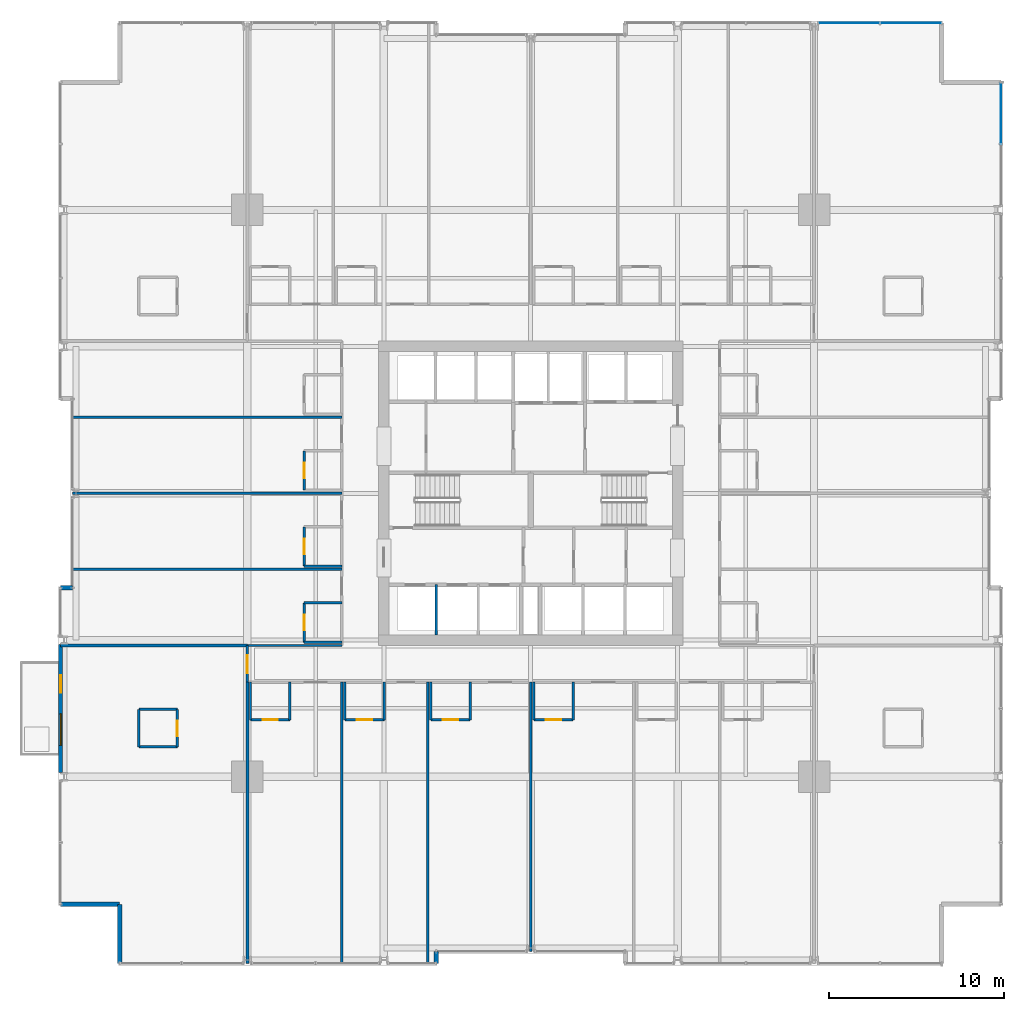
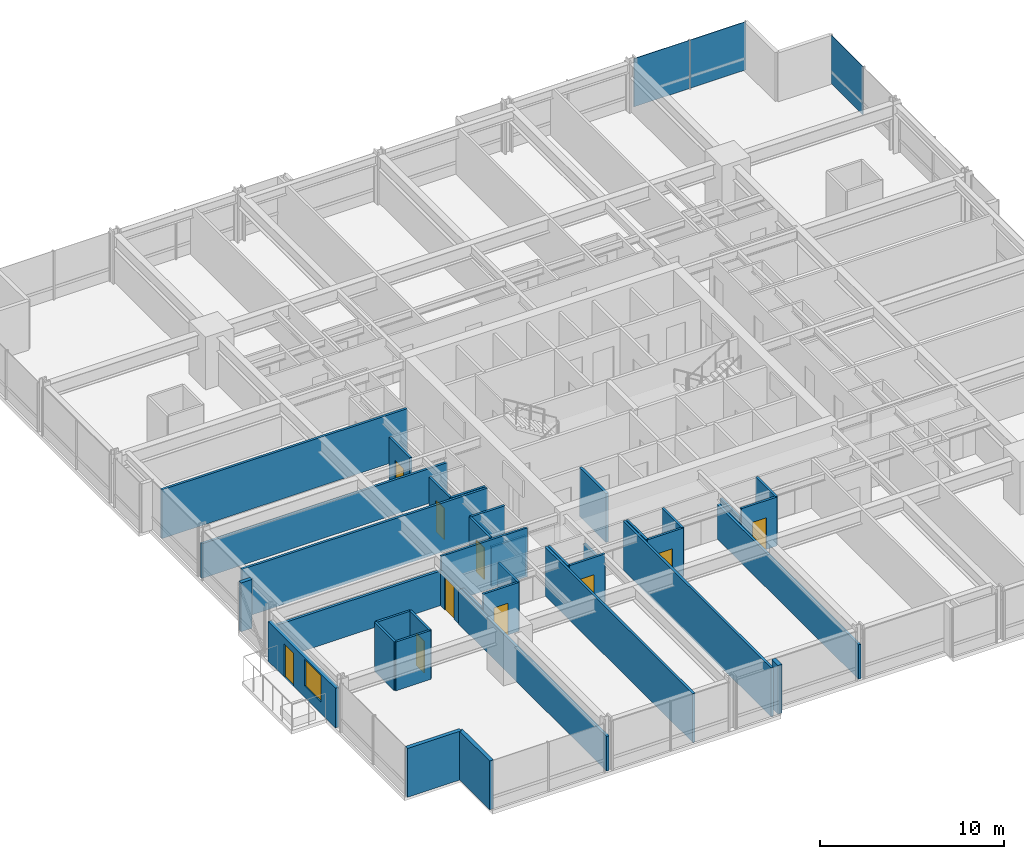
# One storey, part 30 of 39: 38 walls, 10 doors, 3 plates, 1 window, 11 openings, 2 elements without a shape of their own.
"""IFC4 building model written with IfcOpenShell, lengths in metres."""

from ifc_helpers import new_model, si_unit, direction, frame, frame_2d, origin, origin_2d, place, context, subcontext, project, spatial, rectangle, extrude, material, layer, layer_set, type_object, element, fill, aggregate, save


model = new_model("IFC4")

# Units and contexts
model_context = context("Model", 3, precision=1e-05, world=origin(), true_north=direction((0.0, 1.0)))
body_context = subcontext(model_context, "Body", "Model", "MODEL_VIEW")
ifc_project = project(units=[si_unit("LENGTHUNIT", "METRE"), si_unit("AREAUNIT", "SQUARE_METRE"), si_unit("VOLUMEUNIT", "CUBIC_METRE"), si_unit("PLANEANGLEUNIT", "RADIAN"), si_unit("MASSUNIT", "GRAM", prefix="KILO")], contexts=[model_context])

# Site, building, storey
site_placement = place(None, origin())
site = spatial("IfcSite", under=ifc_project, at=site_placement, CompositionType="ELEMENT")
building_placement = place(site_placement, origin())
building = spatial("IfcBuilding", under=site, at=building_placement, Name="Drelvath Grand Hotel", CompositionType="ELEMENT")
storey_placement = place(building_placement, frame((0.0, 0.0, 40.199951171875)))
storey = spatial("IfcBuildingStorey", under=building, at=storey_placement, Name="L08", CompositionType="ELEMENT", Elevation=40.199951171875)

# Curtain wall, plate
ifc_material_1 = material(Name="Warm Bronze Anodised Aluminium Frame", Category="aluminium")
ifc_layer_1 = layer(ifc_material_1, 0.199951171875)
ifc_layer_set_1 = layer_set([ifc_layer_1], Name="Warm Bronze Anodised Aluminium Frame")
curtain_wall_type = type_object("IfcCurtainWallType", Name="Stick Curtain Wall CW-02 Warm Bronze Low-Rise", PredefinedType="NOTDEFINED", material=ifc_layer_set_1)
curtain_wall_1_placement = place(storey_placement, origin())
curtain_wall_1 = element("IfcCurtainWall", 1, at=curtain_wall_1_placement, inside=storey, type_object=curtain_wall_type, Name="L08 CW-02 Curtain Wall CW02-L08-EN3", PredefinedType="NOTDEFINED")
ifc_material_2 = material(Name="Low-E Triple Silver Vision Glass Bronze Tint", Category="glass")
ifc_layer_2 = layer(ifc_material_2, 0.035888671875)
ifc_layer_set_2 = layer_set([ifc_layer_2], Name="Low-E Triple Silver Vision Glass Bronze Tint")
plate_type = type_object("IfcPlateType", Name="Curtain Wall Vision Panel CW-02 36mm", PredefinedType="CURTAIN_PANEL", material=ifc_layer_set_2)
plate_1_placement = place(storey_placement, frame((26.8798828125, 48.735107421875, 0.02001953125), z_axis=(0.0, 0.0, 1.0), x_axis=(0.0, -1.0, 0.0)))
plate_1 = element("IfcPlate", 2, at=plate_1_placement, type_object=plate_type, Name="CW02-L08-EN3 Glazed Panel 1", PredefinedType="CURTAIN_PANEL", context=body_context, shape_type="SweptSolid", body=[
    extrude(rectangle(XDim=3.489501953125, YDim=0.035888671875, at=origin_2d()), origin(), (0.0, 0.0, 1.0), 3.199951171875),
])
aggregate(curtain_wall_1, [plate_1])

# Curtain wall, plates
curtain_wall_2_placement = place(storey_placement, origin())
curtain_wall_2 = element("IfcCurtainWall", 3, at=curtain_wall_2_placement, inside=storey, type_object=curtain_wall_type, Name="L08 CW-02 Curtain Wall CW02-L08-NE3", PredefinedType="NOTDEFINED")
plate_2_placement = place(storey_placement, frame((18.205810546875, 53.8798828125, 0.02001953125), z_axis=(0.0, 0.0, 1.0), x_axis=(1.0, 0.0, 0.0)))
plate_2 = element("IfcPlate", 4, at=plate_2_placement, type_object=plate_type, Name="CW02-L08-NE3 Glazed Panel 1", PredefinedType="CURTAIN_PANEL", context=body_context, shape_type="SweptSolid", body=[
    extrude(rectangle(XDim=3.489501953125, YDim=0.035888671875, at=origin_2d()), origin(), (0.0, 0.0, 1.0), 3.199951171875),
])
plate_3_placement = place(storey_placement, frame((21.735107421875, 53.8798828125, 0.02001953125), z_axis=(0.0, 0.0, 1.0), x_axis=(1.0, 0.0, 0.0)))
plate_3 = element("IfcPlate", 5, at=plate_3_placement, type_object=plate_type, Name="CW02-L08-NE3 Glazed Panel 2", PredefinedType="CURTAIN_PANEL", context=body_context, shape_type="SweptSolid", body=[
    extrude(rectangle(XDim=3.489501953125, YDim=0.035888671875, at=origin_2d()), origin(), (0.0, 0.0, 1.0), 3.199951171875),
])
aggregate(curtain_wall_2, [plate_2, plate_3])

# Walls
ifc_material_3 = material(Name="Gypsum Fireboard Partition")
ifc_layer_3 = layer(ifc_material_3, 0.1650390625)
ifc_layer_set_3 = layer_set([ifc_layer_3], Name="Gypsum Fireboard Partition")
wall_type_1 = type_object("IfcWallType", Name="Core Shaft Partition 165", PredefinedType="PARTITIONING", material=ifc_layer_set_3)
wall_1_placement = place(storey_placement, frame((-5.39990234375, 18.89990234375, 0.0), z_axis=(0.0, 0.0, 1.0), x_axis=(0.0, 1.0, 0.0)))
element("IfcWall", 6, at=wall_1_placement, inside=storey, type_object=wall_type_1, Name="L08 Lift PE-1/2 Divider", PredefinedType="PARTITIONING", context=body_context, shape_type="SweptSolid", body=[
    extrude(rectangle(XDim=2.880126953125, YDim=0.1650390625, at=frame_2d((1.43994140625, 0.0))), origin(), (0.0, 0.0, 1.0), 3.239990234375),
])
ifc_layer_4 = layer(ifc_material_3, 0.135009765625)
ifc_layer_set_4 = layer_set([ifc_layer_4], Name="Gypsum Fireboard Partition")
wall_type_2 = type_object("IfcWallType", Name="Corridor Fire Barrier Wall 135", PredefinedType="PARTITIONING", material=ifc_layer_set_4)
wall_2_placement = place(storey_placement, frame((-16.199951171875, 18.300048828125, 0.0), z_axis=(0.0, 0.0, 1.0), x_axis=(1.0, 0.0, 0.0)))
element("IfcWall", 7, at=wall_2_placement, inside=storey, type_object=wall_type_2, Name="L08 SW Spur Inner Wall", PredefinedType="PARTITIONING", context=body_context, shape_type="SweptSolid", body=[
    extrude(rectangle(XDim=5.39990234375, YDim=0.135009765625, at=frame_2d((2.699951171875, 0.0))), origin(), (0.0, 0.0, 1.0), 3.239990234375),
])

# Wall, opening, door
wall_3_placement = place(storey_placement, frame((-16.199951171875, 16.199951171875, 0.0), z_axis=(0.0, 0.0, 1.0), x_axis=(0.0, 1.0, 0.0)))
wall_3 = element("IfcWall", 8, at=wall_3_placement, inside=storey, type_object=wall_type_2, Name="L08 South Corridor West End", PredefinedType="PARTITIONING", context=body_context, shape_type="SweptSolid", body=[
    extrude(rectangle(XDim=2.10009765625, YDim=0.135009765625, at=frame_2d((1.050048828125, 0.0))), origin(), (0.0, 0.0, 1.0), 2.29833984375),
])
opening_1_placement = place(wall_3_placement, frame((0.52001953125, 0.0, 0.0)))
opening_1 = element("IfcOpeningElement", 9, at=opening_1_placement, cuts=wall_3, Name="Opening D-T1G1-019", PredefinedType="OPENING", context=body_context, shape_type="SweptSolid", body=[
    extrude(rectangle(XDim=1.02001953125, YDim=2.14990234375, at=frame_2d((0.510009765625, 1.074951171875))), frame((0.0, 0.077392578125, 0.0), z_axis=(0.0, -1.0, 0.0), x_axis=(1.0, 0.0, 0.0)), (0.0, 0.0, 1.0), 0.155029296875),
])
ifc_material_4 = material(Name="Hardwood Walnut Timber", Category="wood")
door_type_1 = type_object("IfcDoorType", Name="Amenity Meeting Fire Door 1020x2150", OperationType="NOTDEFINED", PredefinedType="DOOR", material=ifc_material_4)
door_1_placement = place(opening_1_placement, origin())
door_1 = element("IfcDoor", 10, at=door_1_placement, inside=storey, type_object=door_type_1, Name="L08 Corner Suite Entry Door", OperationType="SINGLE_SWING_RIGHT", OverallHeight=2.14990234375, OverallWidth=1.02001953125, PredefinedType="DOOR", context=body_context, shape_type="SweptSolid", body=[
    extrude(rectangle(XDim=1.02001953125, YDim=2.14990234375, at=frame_2d((0.510009765625, 1.074951171875))), frame((0.0, 0.02490234375, 0.0), z_axis=(0.0, -1.0, 0.0), x_axis=(1.0, 0.0, 0.0)), (0.0, 0.0, 1.0), 0.050048828125),
])
fill(opening_1, door_1)

# Walls
ifc_material_5 = material(Name="Moisture-Resistant Gypsum Board")
ifc_layer_5 = layer(ifc_material_5, 0.139892578125)
ifc_layer_set_5 = layer_set([ifc_layer_5], Name="Moisture-Resistant Gypsum Board")
wall_type_3 = type_object("IfcWallType", Name="En-Suite Plumbing Wall 140", PredefinedType="PLUMBINGWALL", material=ifc_layer_set_5)
for number, where, z_axis, x_axis, name in (
    (11, (-22.39990234375, 12.5, 0.0), (0.0, 0.0, 1.0), (1.0, 0.0, 0.0), "L08 Corner En-Suite South"),
    (12, (-22.39990234375, 14.64990234375, 0.0), (0.0, 0.0, 1.0), (1.0, 0.0, 0.0), "L08 Corner En-Suite North"),
):
    element("IfcWall", number, at=place(storey_placement, frame(where, z_axis=z_axis, x_axis=x_axis)), inside=storey, type_object=wall_type_3, Name=name, PredefinedType="PLUMBINGWALL", context=body_context, shape_type="SweptSolid", body=[
        extrude(rectangle(XDim=2.199951171875, YDim=0.139892578125, at=frame_2d((1.10009765625, 0.0))), origin(), (0.0, 0.0, 1.0), 3.239990234375),
    ])
wall_4_placement = place(storey_placement, frame((-22.39990234375, 12.5, 0.0), z_axis=(0.0, 0.0, 1.0), x_axis=(0.0, 1.0, 0.0)))
element("IfcWall", 13, at=wall_4_placement, inside=storey, type_object=wall_type_3, Name="L08 Corner En-Suite West", PredefinedType="PLUMBINGWALL", context=body_context, shape_type="SweptSolid", body=[
    extrude(rectangle(XDim=2.14990234375, YDim=0.139892578125, at=frame_2d((1.074951171875, 0.0))), origin(), (0.0, 0.0, 1.0), 3.239990234375),
])

# Wall, opening, door
wall_5_placement = place(storey_placement, frame((-20.199951171875, 12.5, 0.0), z_axis=(0.0, 0.0, 1.0), x_axis=(0.0, 1.0, 0.0)))
wall_5 = element("IfcWall", 14, at=wall_5_placement, inside=storey, type_object=wall_type_3, Name="L08 Corner En-Suite East", PredefinedType="PLUMBINGWALL", context=body_context, shape_type="SweptSolid", body=[
    extrude(rectangle(XDim=2.14990234375, YDim=0.139892578125, at=frame_2d((1.074951171875, 0.0))), origin(), (0.0, 0.0, 1.0), 3.239990234375),
])
opening_2_placement = place(wall_5_placement, frame((0.6201171875, 0.0, 0.0)))
opening_2 = element("IfcOpeningElement", 15, at=opening_2_placement, cuts=wall_5, Name="Opening D-T1G1-018", PredefinedType="OPENING", context=body_context, shape_type="SweptSolid", body=[
    extrude(rectangle(XDim=0.8798828125, YDim=2.10009765625, at=frame_2d((0.43994140625, 1.050048828125))), frame((0.0, 0.079833984375, 0.0), z_axis=(0.0, -1.0, 0.0), x_axis=(1.0, 0.0, 0.0)), (0.0, 0.0, 1.0), 0.159912109375),
])
door_type_2 = type_object("IfcDoorType", Name="En-Suite Bathroom Door 880x2100", OperationType="NOTDEFINED", PredefinedType="DOOR", material=ifc_material_4)
door_2_placement = place(opening_2_placement, origin())
door_2 = element("IfcDoor", 16, at=door_2_placement, inside=storey, type_object=door_type_2, Name="L08 Corner En-Suite Door", OperationType="SINGLE_SWING_LEFT", OverallHeight=2.10009765625, OverallWidth=0.8798828125, PredefinedType="DOOR", context=body_context, shape_type="SweptSolid", body=[
    extrude(rectangle(XDim=0.8798828125, YDim=2.10009765625, at=frame_2d((0.43994140625, 1.050048828125))), frame((0.0, 0.02490234375, 0.0), z_axis=(0.0, -1.0, 0.0), x_axis=(1.0, 0.0, 0.0)), (0.0, 0.0, 1.0), 0.050048828125),
])
fill(opening_2, door_2)

# Walls
wall_6_placement = place(storey_placement, frame((-16.02001953125, 16.199951171875, 0.0), z_axis=(0.0, 0.0, 1.0), x_axis=(0.0, -1.0, 0.0)))
element("IfcWall", 17, at=wall_6_placement, inside=storey, type_object=wall_type_3, Name="L08 En-Suite Left Wall", PredefinedType="PLUMBINGWALL", context=body_context, shape_type="SweptSolid", body=[
    extrude(rectangle(XDim=2.14990234375, YDim=0.139892578125, at=frame_2d((1.074951171875, 0.0))), origin(), (0.0, 0.0, 1.0), 2.29833984375),
])
wall_7_placement = place(storey_placement, frame((-13.77001953125, 16.199951171875, 0.0), z_axis=(0.0, 0.0, 1.0), x_axis=(0.0, -1.0, 0.0)))
element("IfcWall", 18, at=wall_7_placement, inside=storey, type_object=wall_type_3, Name="L08 En-Suite Right Wall", PredefinedType="PLUMBINGWALL", context=body_context, shape_type="SweptSolid", body=[
    extrude(rectangle(XDim=2.14990234375, YDim=0.139892578125, at=frame_2d((1.074951171875, 0.0))), origin(), (0.0, 0.0, 1.0), 3.239990234375),
])

# Wall, opening, door
wall_8_placement = place(storey_placement, frame((-16.02001953125, 14.050048828125, 0.0), z_axis=(0.0, 0.0, 1.0), x_axis=(1.0, 0.0, 0.0)))
wall_8 = element("IfcWall", 19, at=wall_8_placement, inside=storey, type_object=wall_type_3, Name="L08 En-Suite Front Wall", PredefinedType="PLUMBINGWALL", context=body_context, shape_type="SweptSolid", body=[
    extrude(rectangle(XDim=2.25, YDim=0.139892578125, at=frame_2d((1.125, 0.0))), origin(), (0.0, 0.0, 1.0), 3.239990234375),
])
opening_3_placement = place(wall_8_placement, frame((0.68505859375, 0.0, 0.0)))
opening_3 = element("IfcOpeningElement", 20, at=opening_3_placement, cuts=wall_8, Name="Opening D-T1G1-026", PredefinedType="OPENING", context=body_context, shape_type="SweptSolid", body=[
    extrude(rectangle(XDim=0.8798828125, YDim=2.10009765625, at=frame_2d((0.43994140625, 1.050048828125))), frame((0.0, 0.079833984375, 0.0), z_axis=(0.0, -1.0, 0.0), x_axis=(1.0, 0.0, 0.0)), (0.0, 0.0, 1.0), 0.159912109375),
])
door_3_placement = place(opening_3_placement, origin())
door_3 = element("IfcDoor", 21, at=door_3_placement, inside=storey, type_object=door_type_2, Name="L08 En-Suite Bathroom Door", OperationType="SINGLE_SWING_LEFT", OverallHeight=2.10009765625, OverallWidth=0.8798828125, PredefinedType="DOOR", context=body_context, shape_type="SweptSolid", body=[
    extrude(rectangle(XDim=0.8798828125, YDim=2.10009765625, at=frame_2d((0.43994140625, 1.050048828125))), frame((0.0, 0.02490234375, 0.0), z_axis=(0.0, -1.0, 0.0), x_axis=(1.0, 0.0, 0.0)), (0.0, 0.0, 1.0), 0.050048828125),
])
fill(opening_3, door_3)

# Walls
wall_9_placement = place(storey_placement, frame((-10.6201171875, 16.199951171875, 0.0), z_axis=(0.0, 0.0, 1.0), x_axis=(0.0, -1.0, 0.0)))
element("IfcWall", 22, at=wall_9_placement, inside=storey, type_object=wall_type_3, Name="L08 En-Suite Left Wall", PredefinedType="PLUMBINGWALL", context=body_context, shape_type="SweptSolid", body=[
    extrude(rectangle(XDim=2.14990234375, YDim=0.139892578125, at=frame_2d((1.074951171875, 0.0))), origin(), (0.0, 0.0, 1.0), 3.239990234375),
])
wall_10_placement = place(storey_placement, frame((-8.3701171875, 16.199951171875, 0.0), z_axis=(0.0, 0.0, 1.0), x_axis=(0.0, -1.0, 0.0)))
element("IfcWall", 23, at=wall_10_placement, inside=storey, type_object=wall_type_3, Name="L08 En-Suite Right Wall", PredefinedType="PLUMBINGWALL", context=body_context, shape_type="SweptSolid", body=[
    extrude(rectangle(XDim=2.14990234375, YDim=0.139892578125, at=frame_2d((1.074951171875, 0.0))), origin(), (0.0, 0.0, 1.0), 2.617431640625),
])

# Wall, opening, door
wall_11_placement = place(storey_placement, frame((-10.6201171875, 14.050048828125, 0.0), z_axis=(0.0, 0.0, 1.0), x_axis=(1.0, 0.0, 0.0)))
wall_11 = element("IfcWall", 24, at=wall_11_placement, inside=storey, type_object=wall_type_3, Name="L08 En-Suite Front Wall", PredefinedType="PLUMBINGWALL", context=body_context, shape_type="SweptSolid", body=[
    extrude(rectangle(XDim=2.25, YDim=0.139892578125, at=frame_2d((1.125, 0.0))), origin(), (0.0, 0.0, 1.0), 3.239990234375),
])
opening_4_placement = place(wall_11_placement, frame((0.68505859375, 0.0, 0.0)))
opening_4 = element("IfcOpeningElement", 25, at=opening_4_placement, cuts=wall_11, Name="Opening D-T1G1-028", PredefinedType="OPENING", context=body_context, shape_type="SweptSolid", body=[
    extrude(rectangle(XDim=0.8798828125, YDim=2.10009765625, at=frame_2d((0.43994140625, 1.050048828125))), frame((0.0, 0.079833984375, 0.0), z_axis=(0.0, -1.0, 0.0), x_axis=(1.0, 0.0, 0.0)), (0.0, 0.0, 1.0), 0.159912109375),
])
door_4_placement = place(opening_4_placement, origin())
door_4 = element("IfcDoor", 26, at=door_4_placement, inside=storey, type_object=door_type_2, Name="L08 En-Suite Bathroom Door", OperationType="SINGLE_SWING_LEFT", OverallHeight=2.10009765625, OverallWidth=0.8798828125, PredefinedType="DOOR", context=body_context, shape_type="SweptSolid", body=[
    extrude(rectangle(XDim=0.8798828125, YDim=2.10009765625, at=frame_2d((0.43994140625, 1.050048828125))), frame((0.0, 0.02490234375, 0.0), z_axis=(0.0, -1.0, 0.0), x_axis=(1.0, 0.0, 0.0)), (0.0, 0.0, 1.0), 0.050048828125),
])
fill(opening_4, door_4)

# Walls
for number, where, z_axis, x_axis, name in (
    (27, (-5.7109375, 16.199951171875, 0.0), (0.0, 0.0, 1.0), (0.0, -1.0, 0.0), "L08 En-Suite Left Wall"),
    (28, (-3.4609375, 16.199951171875, 0.0), (0.0, 0.0, 1.0), (0.0, -1.0, 0.0), "L08 En-Suite Right Wall"),
):
    element("IfcWall", number, at=place(storey_placement, frame(where, z_axis=z_axis, x_axis=x_axis)), inside=storey, type_object=wall_type_3, Name=name, PredefinedType="PLUMBINGWALL", context=body_context, shape_type="SweptSolid", body=[
        extrude(rectangle(XDim=2.14990234375, YDim=0.139892578125, at=frame_2d((1.074951171875, 0.0))), origin(), (0.0, 0.0, 1.0), 3.239990234375),
    ])

# Wall, opening, door
wall_12_placement = place(storey_placement, frame((-5.7109375, 14.050048828125, 0.0), z_axis=(0.0, 0.0, 1.0), x_axis=(1.0, 0.0, 0.0)))
wall_12 = element("IfcWall", 29, at=wall_12_placement, inside=storey, type_object=wall_type_3, Name="L08 En-Suite Front Wall", PredefinedType="PLUMBINGWALL", context=body_context, shape_type="SweptSolid", body=[
    extrude(rectangle(XDim=2.25, YDim=0.139892578125, at=frame_2d((1.125, 0.0))), origin(), (0.0, 0.0, 1.0), 3.239990234375),
])
opening_5_placement = place(wall_12_placement, frame((0.68505859375, 0.0, 0.0)))
opening_5 = element("IfcOpeningElement", 30, at=opening_5_placement, cuts=wall_12, Name="Opening D-T1G1-030", PredefinedType="OPENING", context=body_context, shape_type="SweptSolid", body=[
    extrude(rectangle(XDim=0.8798828125, YDim=2.10009765625, at=frame_2d((0.43994140625, 1.050048828125))), frame((0.0, 0.079833984375, 0.0), z_axis=(0.0, -1.0, 0.0), x_axis=(1.0, 0.0, 0.0)), (0.0, 0.0, 1.0), 0.159912109375),
])
door_5_placement = place(opening_5_placement, origin())
door_5 = element("IfcDoor", 31, at=door_5_placement, inside=storey, type_object=door_type_2, Name="L08 En-Suite Bathroom Door", OperationType="SINGLE_SWING_LEFT", OverallHeight=2.10009765625, OverallWidth=0.8798828125, PredefinedType="DOOR", context=body_context, shape_type="SweptSolid", body=[
    extrude(rectangle(XDim=0.8798828125, YDim=2.10009765625, at=frame_2d((0.43994140625, 1.050048828125))), frame((0.0, 0.02490234375, 0.0), z_axis=(0.0, -1.0, 0.0), x_axis=(1.0, 0.0, 0.0)), (0.0, 0.0, 1.0), 0.050048828125),
])
fill(opening_5, door_5)

# Walls
wall_13_placement = place(storey_placement, frame((0.179931640625, 16.199951171875, 0.0), z_axis=(0.0, 0.0, 1.0), x_axis=(0.0, -1.0, 0.0)))
element("IfcWall", 32, at=wall_13_placement, inside=storey, type_object=wall_type_3, Name="L08 En-Suite Left Wall", PredefinedType="PLUMBINGWALL", context=body_context, shape_type="SweptSolid", body=[
    extrude(rectangle(XDim=2.14990234375, YDim=0.139892578125, at=frame_2d((1.074951171875, 0.0))), origin(), (0.0, 0.0, 1.0), 2.617431640625),
])
wall_14_placement = place(storey_placement, frame((2.429931640625, 16.199951171875, 0.0), z_axis=(0.0, 0.0, 1.0), x_axis=(0.0, -1.0, 0.0)))
element("IfcWall", 33, at=wall_14_placement, inside=storey, type_object=wall_type_3, Name="L08 En-Suite Right Wall", PredefinedType="PLUMBINGWALL", context=body_context, shape_type="SweptSolid", body=[
    extrude(rectangle(XDim=2.14990234375, YDim=0.139892578125, at=frame_2d((1.074951171875, 0.0))), origin(), (0.0, 0.0, 1.0), 3.239990234375),
])

# Wall, opening, door
wall_15_placement = place(storey_placement, frame((0.179931640625, 14.050048828125, 0.0), z_axis=(0.0, 0.0, 1.0), x_axis=(1.0, 0.0, 0.0)))
wall_15 = element("IfcWall", 34, at=wall_15_placement, inside=storey, type_object=wall_type_3, Name="L08 En-Suite Front Wall", PredefinedType="PLUMBINGWALL", context=body_context, shape_type="SweptSolid", body=[
    extrude(rectangle(XDim=2.25, YDim=0.139892578125, at=frame_2d((1.125, 0.0))), origin(), (0.0, 0.0, 1.0), 3.239990234375),
])
opening_6_placement = place(wall_15_placement, frame((0.68505859375, 0.0, 0.0)))
opening_6 = element("IfcOpeningElement", 35, at=opening_6_placement, cuts=wall_15, Name="Opening D-T1G1-032", PredefinedType="OPENING", context=body_context, shape_type="SweptSolid", body=[
    extrude(rectangle(XDim=0.8798828125, YDim=2.10009765625, at=frame_2d((0.43994140625, 1.050048828125))), frame((0.0, 0.079833984375, 0.0), z_axis=(0.0, -1.0, 0.0), x_axis=(1.0, 0.0, 0.0)), (0.0, 0.0, 1.0), 0.159912109375),
])
door_6_placement = place(opening_6_placement, origin())
door_6 = element("IfcDoor", 36, at=door_6_placement, inside=storey, type_object=door_type_2, Name="L08 En-Suite Bathroom Door", OperationType="SINGLE_SWING_LEFT", OverallHeight=2.10009765625, OverallWidth=0.8798828125, PredefinedType="DOOR", context=body_context, shape_type="SweptSolid", body=[
    extrude(rectangle(XDim=0.8798828125, YDim=2.10009765625, at=frame_2d((0.43994140625, 1.050048828125))), frame((0.0, 0.02490234375, 0.0), z_axis=(0.0, -1.0, 0.0), x_axis=(1.0, 0.0, 0.0)), (0.0, 0.0, 1.0), 0.050048828125),
])
fill(opening_6, door_6)

# Walls
wall_16_placement = place(storey_placement, frame((-10.800048828125, 18.47998046875, 0.0), z_axis=(0.0, 0.0, 1.0), x_axis=(-1.0, 0.0, 0.0)))
element("IfcWall", 37, at=wall_16_placement, inside=storey, type_object=wall_type_3, Name="L08 En-Suite Left Wall", PredefinedType="PLUMBINGWALL", context=body_context, shape_type="SweptSolid", body=[
    extrude(rectangle(XDim=2.14990234375, YDim=0.139892578125, at=frame_2d((1.074951171875, 0.0))), origin(), (0.0, 0.0, 1.0), 2.617431640625),
])
wall_17_placement = place(storey_placement, frame((-10.800048828125, 20.72998046875, 0.0), z_axis=(0.0, 0.0, 1.0), x_axis=(-1.0, 0.0, 0.0)))
element("IfcWall", 38, at=wall_17_placement, inside=storey, type_object=wall_type_3, Name="L08 En-Suite Right Wall", PredefinedType="PLUMBINGWALL", context=body_context, shape_type="SweptSolid", body=[
    extrude(rectangle(XDim=2.14990234375, YDim=0.139892578125, at=frame_2d((1.074951171875, 0.0))), origin(), (0.0, 0.0, 1.0), 3.239990234375),
])

# Wall, opening, door
wall_18_placement = place(storey_placement, frame((-12.949951171875, 18.47998046875, 0.0), z_axis=(0.0, 0.0, 1.0), x_axis=(0.0, 1.0, 0.0)))
wall_18 = element("IfcWall", 39, at=wall_18_placement, inside=storey, type_object=wall_type_3, Name="L08 En-Suite Front Wall", PredefinedType="PLUMBINGWALL", context=body_context, shape_type="SweptSolid", body=[
    extrude(rectangle(XDim=2.25, YDim=0.139892578125, at=frame_2d((1.125, 0.0))), origin(), (0.0, 0.0, 1.0), 3.239990234375),
])
opening_7_placement = place(wall_18_placement, frame((0.68505859375, 0.0, 0.0)))
opening_7 = element("IfcOpeningElement", 40, at=opening_7_placement, cuts=wall_18, Name="Opening D-T1G1-049", PredefinedType="OPENING", context=body_context, shape_type="SweptSolid", body=[
    extrude(rectangle(XDim=0.8798828125, YDim=2.10009765625, at=frame_2d((0.43994140625, 1.050048828125))), frame((0.0, 0.079833984375, 0.0), z_axis=(0.0, -1.0, 0.0), x_axis=(1.0, 0.0, 0.0)), (0.0, 0.0, 1.0), 0.159912109375),
])
door_7_placement = place(opening_7_placement, origin())
door_7 = element("IfcDoor", 41, at=door_7_placement, inside=storey, type_object=door_type_2, Name="L08 En-Suite Bathroom Door", OperationType="SINGLE_SWING_RIGHT", OverallHeight=2.10009765625, OverallWidth=0.8798828125, PredefinedType="DOOR", context=body_context, shape_type="SweptSolid", body=[
    extrude(rectangle(XDim=0.8798828125, YDim=2.10009765625, at=frame_2d((0.43994140625, 1.050048828125))), frame((0.0, 0.02490234375, 0.0), z_axis=(0.0, -1.0, 0.0), x_axis=(1.0, 0.0, 0.0)), (0.0, 0.0, 1.0), 0.050048828125),
])
fill(opening_7, door_7)

# Wall
wall_19_placement = place(storey_placement, frame((-10.800048828125, 22.830078125, 0.0), z_axis=(0.0, 0.0, 1.0), x_axis=(-1.0, 0.0, 0.0)))
element("IfcWall", 42, at=wall_19_placement, inside=storey, type_object=wall_type_3, Name="L08 En-Suite Left Wall", PredefinedType="PLUMBINGWALL", context=body_context, shape_type="SweptSolid", body=[
    extrude(rectangle(XDim=2.14990234375, YDim=0.139892578125, at=frame_2d((1.074951171875, 0.0))), origin(), (0.0, 0.0, 1.0), 3.239990234375),
])

# Wall, opening, door
wall_20_placement = place(storey_placement, frame((-12.949951171875, 22.830078125, 0.0), z_axis=(0.0, 0.0, 1.0), x_axis=(0.0, 1.0, 0.0)))
wall_20 = element("IfcWall", 43, at=wall_20_placement, inside=storey, type_object=wall_type_3, Name="L08 En-Suite Front Wall", PredefinedType="PLUMBINGWALL", context=body_context, shape_type="SweptSolid", body=[
    extrude(rectangle(XDim=2.25, YDim=0.139892578125, at=frame_2d((1.125, 0.0))), origin(), (0.0, 0.0, 1.0), 3.239990234375),
])
opening_8_placement = place(wall_20_placement, frame((0.68505859375, 0.0, 0.0)))
opening_8 = element("IfcOpeningElement", 44, at=opening_8_placement, cuts=wall_20, Name="Opening D-T1G1-051", PredefinedType="OPENING", context=body_context, shape_type="SweptSolid", body=[
    extrude(rectangle(XDim=0.8798828125, YDim=2.10009765625, at=frame_2d((0.43994140625, 1.050048828125))), frame((0.0, 0.079833984375, 0.0), z_axis=(0.0, -1.0, 0.0), x_axis=(1.0, 0.0, 0.0)), (0.0, 0.0, 1.0), 0.159912109375),
])
door_8_placement = place(opening_8_placement, origin())
door_8 = element("IfcDoor", 45, at=door_8_placement, inside=storey, type_object=door_type_2, Name="L08 En-Suite Bathroom Door", OperationType="SINGLE_SWING_RIGHT", OverallHeight=2.10009765625, OverallWidth=0.8798828125, PredefinedType="DOOR", context=body_context, shape_type="SweptSolid", body=[
    extrude(rectangle(XDim=0.8798828125, YDim=2.10009765625, at=frame_2d((0.43994140625, 1.050048828125))), frame((0.0, 0.02490234375, 0.0), z_axis=(0.0, -1.0, 0.0), x_axis=(1.0, 0.0, 0.0)), (0.0, 0.0, 1.0), 0.050048828125),
])
fill(opening_8, door_8)

wall_21_placement = place(storey_placement, frame((-12.949951171875, 27.179931640625, 0.0), z_axis=(0.0, 0.0, 1.0), x_axis=(0.0, 1.0, 0.0)))
wall_21 = element("IfcWall", 46, at=wall_21_placement, inside=storey, type_object=wall_type_3, Name="L08 En-Suite Front Wall", PredefinedType="PLUMBINGWALL", context=body_context, shape_type="SweptSolid", body=[
    extrude(rectangle(XDim=2.25, YDim=0.139892578125, at=frame_2d((1.125, 0.0))), origin(), (0.0, 0.0, 1.0), 3.239990234375),
])
opening_9_placement = place(wall_21_placement, frame((0.68505859375, 0.0, 0.0)))
opening_9 = element("IfcOpeningElement", 47, at=opening_9_placement, cuts=wall_21, Name="Opening D-T1G1-053", PredefinedType="OPENING", context=body_context, shape_type="SweptSolid", body=[
    extrude(rectangle(XDim=0.8798828125, YDim=2.10009765625, at=frame_2d((0.43994140625, 1.050048828125))), frame((0.0, 0.079833984375, 0.0), z_axis=(0.0, -1.0, 0.0), x_axis=(1.0, 0.0, 0.0)), (0.0, 0.0, 1.0), 0.159912109375),
])
door_9_placement = place(opening_9_placement, origin())
door_9 = element("IfcDoor", 48, at=door_9_placement, inside=storey, type_object=door_type_2, Name="L08 En-Suite Bathroom Door", OperationType="SINGLE_SWING_RIGHT", OverallHeight=2.10009765625, OverallWidth=0.8798828125, PredefinedType="DOOR", context=body_context, shape_type="SweptSolid", body=[
    extrude(rectangle(XDim=0.8798828125, YDim=2.10009765625, at=frame_2d((0.43994140625, 1.050048828125))), frame((0.0, 0.02490234375, 0.0), z_axis=(0.0, -1.0, 0.0), x_axis=(1.0, 0.0, 0.0)), (0.0, 0.0, 1.0), 0.050048828125),
])
fill(opening_9, door_9)

# Walls
ifc_material_6 = material(Name="Gypsum Acoustic Partition")
ifc_layer_6 = layer(ifc_material_6, 0.14990234375)
ifc_layer_set_6 = layer_set([ifc_layer_6], Name="Gypsum Acoustic Partition")
wall_type_4 = type_object("IfcWallType", Name="Guestroom Demising Wall 150", PredefinedType="PARTITIONING", material=ifc_layer_set_6)
for number, where, z_axis, x_axis, name in (
    (49, (-10.800048828125, 0.1201171875, 0.0), (0.0, 0.0, 1.0), (0.0, 1.0, 0.0), "L08 South Demising 1"),
    (50, (-5.890869140625, 0.1201171875, 0.0), (0.0, 0.0, 1.0), (0.0, 1.0, 0.0), "L08 South Demising 2"),
):
    element("IfcWall", number, at=place(storey_placement, frame(where, z_axis=z_axis, x_axis=x_axis)), inside=storey, type_object=wall_type_4, Name=name, PredefinedType="PARTITIONING", context=body_context, shape_type="SweptSolid", body=[
        extrude(rectangle(XDim=16.079833984375, YDim=0.14990234375, at=frame_2d((8.0400390625, 0.0))), origin(), (0.0, 0.0, 1.0), 3.239990234375),
    ])
wall_22_placement = place(storey_placement, frame((0.0, 0.800048828125, 0.0), z_axis=(0.0, 0.0, 1.0), x_axis=(0.0, 1.0, 0.0)))
element("IfcWall", 51, at=wall_22_placement, inside=storey, type_object=wall_type_4, Name="L08 South Demising 3", PredefinedType="PARTITIONING", context=body_context, shape_type="SweptSolid", body=[
    extrude(rectangle(XDim=15.39990234375, YDim=0.14990234375, at=frame_2d((7.699951171875, 0.0))), origin(), (0.0, 0.0, 1.0), 2.29833984375),
])
wall_23_placement = place(storey_placement, frame((-26.199951171875, 22.64990234375, 0.0), z_axis=(0.0, 0.0, 1.0), x_axis=(1.0, 0.0, 0.0)))
element("IfcWall", 52, at=wall_23_placement, inside=storey, type_object=wall_type_4, Name="L08 West Demising 1", PredefinedType="PARTITIONING", context=body_context, shape_type="SweptSolid", body=[
    extrude(rectangle(XDim=15.39990234375, YDim=0.14990234375, at=frame_2d((7.699951171875, 0.0))), origin(), (0.0, 0.0, 1.0), 3.239990234375),
])
wall_24_placement = place(storey_placement, frame((-26.199951171875, 27.0, 0.0), z_axis=(0.0, 0.0, 1.0), x_axis=(1.0, 0.0, 0.0)))
element("IfcWall", 53, at=wall_24_placement, inside=storey, type_object=wall_type_4, Name="L08 West Demising 2", PredefinedType="PARTITIONING", context=body_context, shape_type="SweptSolid", body=[
    extrude(rectangle(XDim=15.39990234375, YDim=0.14990234375, at=frame_2d((7.699951171875, 0.0))), origin(), (0.0, 0.0, 1.0), 2.29833984375),
])
wall_25_placement = place(storey_placement, frame((-26.199951171875, 31.35009765625, 0.0), z_axis=(0.0, 0.0, 1.0), x_axis=(1.0, 0.0, 0.0)))
element("IfcWall", 54, at=wall_25_placement, inside=storey, type_object=wall_type_4, Name="L08 West Demising 3", PredefinedType="PARTITIONING", context=body_context, shape_type="SweptSolid", body=[
    extrude(rectangle(XDim=15.39990234375, YDim=0.14990234375, at=frame_2d((7.699951171875, 0.0))), origin(), (0.0, 0.0, 1.0), 3.239990234375),
])
ifc_layer_7 = layer(ifc_material_6, 0.1650390625)
ifc_layer_set_7 = layer_set([ifc_layer_7], Name="Gypsum Acoustic Partition")
wall_type_5 = type_object("IfcWallType", Name="Suite Demising Wall 165", PredefinedType="PARTITIONING", material=ifc_layer_set_7)
wall_26_placement = place(storey_placement, frame((-16.199951171875, 0.1201171875, 0.0), z_axis=(0.0, 0.0, 1.0), x_axis=(0.0, 1.0, 0.0)))
element("IfcWall", 55, at=wall_26_placement, inside=storey, type_object=wall_type_5, Name="L08 SW Wing Boundary Wall", PredefinedType="PARTITIONING", context=body_context, shape_type="SweptSolid", body=[
    extrude(rectangle(XDim=16.079833984375, YDim=0.1650390625, at=frame_2d((8.0400390625, 0.0))), origin(), (0.0, 0.0, 1.0), 2.29833984375),
])
wall_27_placement = place(storey_placement, frame((-26.8798828125, 18.300048828125, 0.0), z_axis=(0.0, 0.0, 1.0), x_axis=(1.0, 0.0, 0.0)))
element("IfcWall", 56, at=wall_27_placement, inside=storey, type_object=wall_type_5, Name="L08 SW Corner North Wall", PredefinedType="PARTITIONING", context=body_context, shape_type="SweptSolid", body=[
    extrude(rectangle(XDim=10.679931640625, YDim=0.1650390625, at=frame_2d((5.33984375, 0.0))), origin(), (0.0, 0.0, 1.0), 2.29833984375),
])

# Wall, openings, window, door
ifc_material_7 = material(Name="Pale-Metal Insulated Aluminium Spandrel Assembly", Category="aluminium")
ifc_layer_8 = layer(ifc_material_7, 0.239990234375)
ifc_layer_set_8 = layer_set([ifc_layer_8], Name="Pale-Metal Insulated Aluminium Spandrel Assembly")
wall_type_6 = type_object("IfcWallType", Name="Tower Insulated Metal Spandrel Closure Wall 240", PredefinedType="STANDARD", material=ifc_layer_set_8)
wall_28_placement = place(storey_placement, frame((-26.8798828125, 11.041015625, 0.0), z_axis=(0.0, 0.0, 1.0), x_axis=(0.0, 1.0, 0.0)))
wall_28 = element("IfcWall", 57, at=wall_28_placement, inside=storey, type_object=wall_type_6, Name="L08 Exterior Terrace Door Bay Wall WS2", PredefinedType="STANDARD", context=body_context, shape_type="SweptSolid", body=[
    extrude(rectangle(XDim=7.318115234375, YDim=0.239990234375, at=frame_2d((3.6591796875, 0.0))), origin(), (0.0, 0.0, 1.0), 2.629150390625),
])
opening_10_placement = place(wall_28_placement, frame((4.55908203125, 0.0, 0.0)))
opening_10 = element("IfcOpeningElement", 58, at=opening_10_placement, cuts=wall_28, Name="Opening TD-1000", PredefinedType="OPENING", context=body_context, shape_type="SweptSolid", body=[
    extrude(rectangle(XDim=1.0, YDim=2.199951171875, at=frame_2d((0.5, 1.10009765625))), frame((0.0, 0.1298828125, 0.0), z_axis=(0.0, -1.0, 0.0), x_axis=(1.0, 0.0, 0.0)), (0.0, 0.0, 1.0), 0.260009765625),
])
opening_11_placement = place(wall_28_placement, frame((1.552490234375, 0.0, 0.75)))
opening_11 = element("IfcOpeningElement", 59, at=opening_11_placement, cuts=wall_28, Name="Opening W-02", PredefinedType="OPENING", context=body_context, shape_type="SweptSolid", body=[
    extrude(rectangle(XDim=1.800048828125, YDim=1.779052734375, at=frame_2d((0.89990234375, 0.8896484375))), frame((0.0, 0.1298828125, 0.0), z_axis=(0.0, -1.0, 0.0), x_axis=(1.0, 0.0, 0.0)), (0.0, 0.0, 1.0), 0.260009765625),
])
ifc_material_8 = material(Name="Bronze Anodised Low-E Triple Glazing", Category="glass")
window_type = type_object("IfcWindowType", Name="Chicago Double-Pane Podium Window 1800x2400", PartitioningType="DOUBLE_PANEL_VERTICAL", PredefinedType="WINDOW", material=ifc_material_8)
window_placement = place(opening_11_placement, origin())
window = element("IfcWindow", 60, at=window_placement, inside=storey, type_object=window_type, Name="L08 Terrace Bay Companion Window WS2", OverallHeight=1.779052734375, OverallWidth=1.800048828125, PartitioningType="SINGLE_PANEL", PredefinedType="WINDOW", context=body_context, shape_type="SweptSolid", body=[
    extrude(rectangle(XDim=1.800048828125, YDim=1.779052734375, at=frame_2d((0.89990234375, 0.8896484375))), frame((0.0, 0.030029296875, 0.0), z_axis=(0.0, -1.0, 0.0), x_axis=(1.0, 0.0, 0.0)), (0.0, 0.0, 1.0), 0.06005859375),
])
fill(opening_11, window)
ifc_material_9 = material(Name="Anodised Aluminium Thermally Broken Glazed Door", Category="aluminium")
door_type_3 = type_object("IfcDoorType", Name="Terrace and Tree Balcony Glazed Door 1000x2200", OperationType="NOTDEFINED", PredefinedType="DOOR", material=ifc_material_9)
door_10_placement = place(opening_10_placement, origin())
door_10 = element("IfcDoor", 61, at=door_10_placement, inside=storey, type_object=door_type_3, Name="L08 Tree Balcony Door DOOR-L08-TBAL-1", OperationType="SINGLE_SWING_LEFT", OverallHeight=2.199951171875, OverallWidth=1.0, PredefinedType="DOOR", context=body_context, shape_type="SweptSolid", body=[
    extrude(rectangle(XDim=1.0, YDim=2.199951171875, at=frame_2d((0.5, 1.10009765625))), frame((0.0, 0.02490234375, 0.0), z_axis=(0.0, -1.0, 0.0), x_axis=(1.0, 0.0, 0.0)), (0.0, 0.0, 1.0), 0.050048828125),
])
fill(opening_10, door_10)

# Walls
for number, where, z_axis, x_axis, name in (
    (62, (-23.5, 0.1201171875, 0.0), (0.0, 0.0, 1.0), (0.0, 1.0, 0.0), "L08 Notched Corner Return Spandrel Wall CSW1"),
    (63, (-23.5, 3.5, 0.0), (0.0, 0.0, 1.0), (-1.0, 0.0, 0.0), "L08 Notched Corner Return Spandrel Wall CSW2"),
):
    element("IfcWall", number, at=place(storey_placement, frame(where, z_axis=z_axis, x_axis=x_axis)), inside=storey, type_object=wall_type_6, Name=name, PredefinedType="STANDARD", context=body_context, shape_type="SweptSolid", body=[
        extrude(rectangle(XDim=3.3798828125, YDim=0.239990234375, at=frame_2d((1.68994140625, 0.0))), origin(), (0.0, 0.0, 1.0), 3.239990234375),
    ])
for number, where, z_axis, x_axis, name in (
    (64, (-26.8798828125, 21.60009765625, 0.0), (0.0, 0.0, 1.0), (1.0, 0.0, 0.0), "L08 Notched Corner Return Spandrel Wall RW1"),
    (65, (-5.39990234375, 0.800048828125, 0.0), (0.0, 0.0, 1.0), (0.0, -1.0, 0.0), "L08 Notched Corner Return Spandrel Wall RS2"),
):
    element("IfcWall", number, at=place(storey_placement, frame(where, z_axis=z_axis, x_axis=x_axis)), inside=storey, type_object=wall_type_6, Name=name, PredefinedType="STANDARD", context=body_context, shape_type="SweptSolid", body=[
        extrude(rectangle(XDim=0.679931640625, YDim=0.239990234375, at=frame_2d((0.33984375, 0.0))), origin(), (0.0, 0.0, 1.0), 3.239990234375),
    ])

save(model, "model.ifc")
